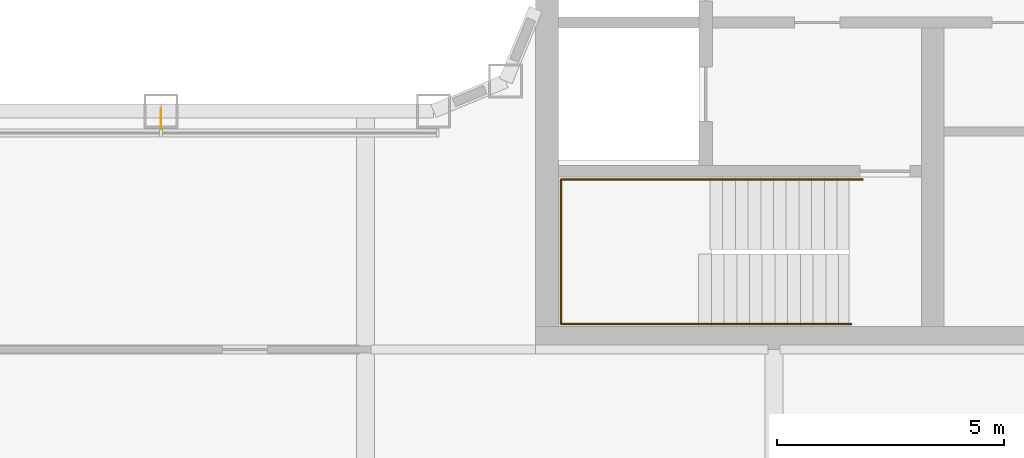
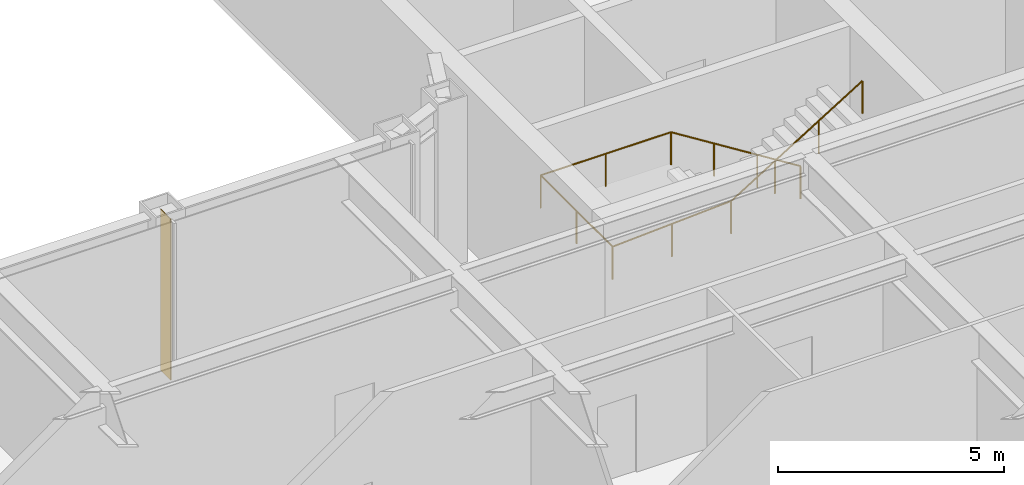
# One storey, part 26 of 30: 1 railing, 1 shading device.
"""IFC4 building model written with IfcOpenShell, lengths in metres."""

from ifc_helpers import new_model, si_unit, direction, frame, origin, origin_2d, place, context, subcontext, project, spatial, rectangle, circle, extrude, material, layer, layer_set, type_object, element, save


model = new_model("IFC4")

# Units and contexts
model_context = context("Model", 3, precision=1e-05, world=origin(), true_north=direction((0.0, 1.0)))
body_context = subcontext(model_context, "Body", "Model", "MODEL_VIEW")
ifc_project = project(units=[si_unit("LENGTHUNIT", "METRE"), si_unit("AREAUNIT", "SQUARE_METRE"), si_unit("VOLUMEUNIT", "CUBIC_METRE"), si_unit("PLANEANGLEUNIT", "RADIAN"), si_unit("MASSUNIT", "GRAM", prefix="KILO")], contexts=[model_context])

# Site, building, storey
site_placement = place(None, origin())
site = spatial("IfcSite", under=ifc_project, at=site_placement, CompositionType="ELEMENT")
building_placement = place(site_placement, origin())
building = spatial("IfcBuilding", under=site, at=building_placement, Name="Siwar Civic Tower", CompositionType="ELEMENT")
storey_placement = place(building_placement, frame((0.0, 0.0, 80.699951171875)))
storey = spatial("IfcBuildingStorey", under=building, at=storey_placement, Name="L17", CompositionType="ELEMENT", Elevation=80.699951171875)

# Railing
ifc_material_1 = material(Name="Stainless steel", Category="steel")
railing_type = type_object("IfcRailingType", Name="CORE-STAIR-HANDRAIL", PredefinedType="HANDRAIL", material=ifc_material_1)
railing_placement = place(storey_placement, frame((15.449951171875, -9.758056640625, 0.173095703125)))
element("IfcRailing", 1, at=railing_placement, inside=storey, type_object=railing_type, Name="Stair handrail ST4", PredefinedType="HANDRAIL", context=body_context, shape_type="SweptSolid", body=[
    extrude(circle(Radius=0.02001953125, at=origin_2d()), frame((0.0, 0.0, 0.8798828125), z_axis=(-0.847063342986, 0.0, 0.531491950051), x_axis=(0.0, -1.0, 0.0)), (0.0, 0.0, 1.0), 3.90771484375),
    extrude(circle(Radius=0.02001953125, at=origin_2d()), frame((-3.31005859375, 0.0, 2.956787109375), z_axis=(-1.0, 0.0, 0.0), x_axis=(0.0, -1.0, 0.0)), (0.0, 0.0, 1.0), 3.331787109375),
    extrude(circle(Radius=0.02001953125, at=origin_2d()), frame((-6.641845703125, 0.0, 2.956787109375), z_axis=(0.0, -1.0, 0.0), x_axis=(1.0, 0.0, 0.0)), (0.0, 0.0, 1.0), 3.183837890625),
    extrude(circle(Radius=0.02001953125, at=origin_2d()), frame((-6.641845703125, -3.183837890625, 2.956787109375), z_axis=(0.99837434197, 0.0, 0.056997134106), x_axis=(0.0, 1.0, 0.0)), (0.0, 0.0, 1.0), 3.036865234375),
    extrude(circle(Radius=0.02001953125, at=origin_2d()), frame((-3.60986328125, -3.183837890625, 3.1298828125), z_axis=(0.850606129759, 0.0, 0.525803396734), x_axis=(0.0, 1.0, 0.0)), (0.0, 0.0, 1.0), 3.949951171875),
    extrude(circle(Radius=0.02001953125, at=origin_2d()), origin(), (0.0, 0.0, 1.0), 0.85986328125),
    extrude(circle(Radius=0.02001953125, at=origin_2d()), frame((-1.103271484375, 0.0, 0.6923828125)), (0.0, 0.0, 1.0), 0.85986328125),
    extrude(circle(Radius=0.02001953125, at=origin_2d()), frame((-2.206787109375, 0.0, 1.384521484375)), (0.0, 0.0, 1.0), 0.85986328125),
    extrude(circle(Radius=0.02001953125, at=origin_2d()), frame((-3.31005859375, 0.0, 2.076904296875)), (0.0, 0.0, 1.0), 0.85986328125),
    extrude(circle(Radius=0.02001953125, at=origin_2d()), frame((-4.97607421875, 0.0, 2.076904296875)), (0.0, 0.0, 1.0), 0.85986328125),
    extrude(circle(Radius=0.02001953125, at=origin_2d()), frame((-6.641845703125, 0.0, 2.076904296875)), (0.0, 0.0, 1.0), 0.85986328125),
    extrude(circle(Radius=0.02001953125, at=origin_2d()), frame((-6.641845703125, -1.591796875, 2.076904296875)), (0.0, 0.0, 1.0), 0.85986328125),
    extrude(circle(Radius=0.02001953125, at=origin_2d()), frame((-6.641845703125, -3.183837890625, 2.076904296875)), (0.0, 0.0, 1.0), 0.85986328125),
    extrude(circle(Radius=0.02001953125, at=origin_2d()), frame((-5.1259765625, -3.183837890625, 2.16357421875)), (0.0, 0.0, 1.0), 0.85986328125),
    extrude(circle(Radius=0.02001953125, at=origin_2d()), frame((-3.60986328125, -3.183837890625, 2.25)), (0.0, 0.0, 1.0), 0.85986328125),
    extrude(circle(Radius=0.02001953125, at=origin_2d()), frame((-2.489990234375, -3.183837890625, 2.9423828125)), (0.0, 0.0, 1.0), 0.85986328125),
    extrude(circle(Radius=0.02001953125, at=origin_2d()), frame((-1.369873046875, -3.183837890625, 3.634521484375)), (0.0, 0.0, 1.0), 0.85986328125),
    extrude(circle(Radius=0.02001953125, at=origin_2d()), frame((-0.25, -3.183837890625, 4.326904296875)), (0.0, 0.0, 1.0), 0.85986328125),
])

# Shading device
ifc_material_2 = material(Name="Aluminium 6063-T6", Category="aluminium")
ifc_layer = layer(ifc_material_2, 0.02001953125)
ifc_layer_set = layer_set([ifc_layer], Name="Aluminium 6063-T6")
shading_device_type = type_object("IfcShadingDeviceType", Name="ENV-FIN", PredefinedType="JALOUSIE", material=ifc_layer_set)
shading_device_placement = place(storey_placement, frame((0.0, -8.419921875, 0.0), z_axis=(0.0, 0.0, 1.0), x_axis=(1.0, 0.0, 0.0)))
element("IfcShadingDevice", 2, at=shading_device_placement, inside=storey, type_object=shading_device_type, Name="SUNSHADE fin WS 1", PredefinedType="JALOUSIE", context=body_context, shape_type="SweptSolid", body=[
    extrude(rectangle(XDim=0.02001953125, YDim=0.449951171875, at=origin_2d()), origin(), (0.0, 0.0, 1.0), 4.35009765625),
])

save(model, "model.ifc")
